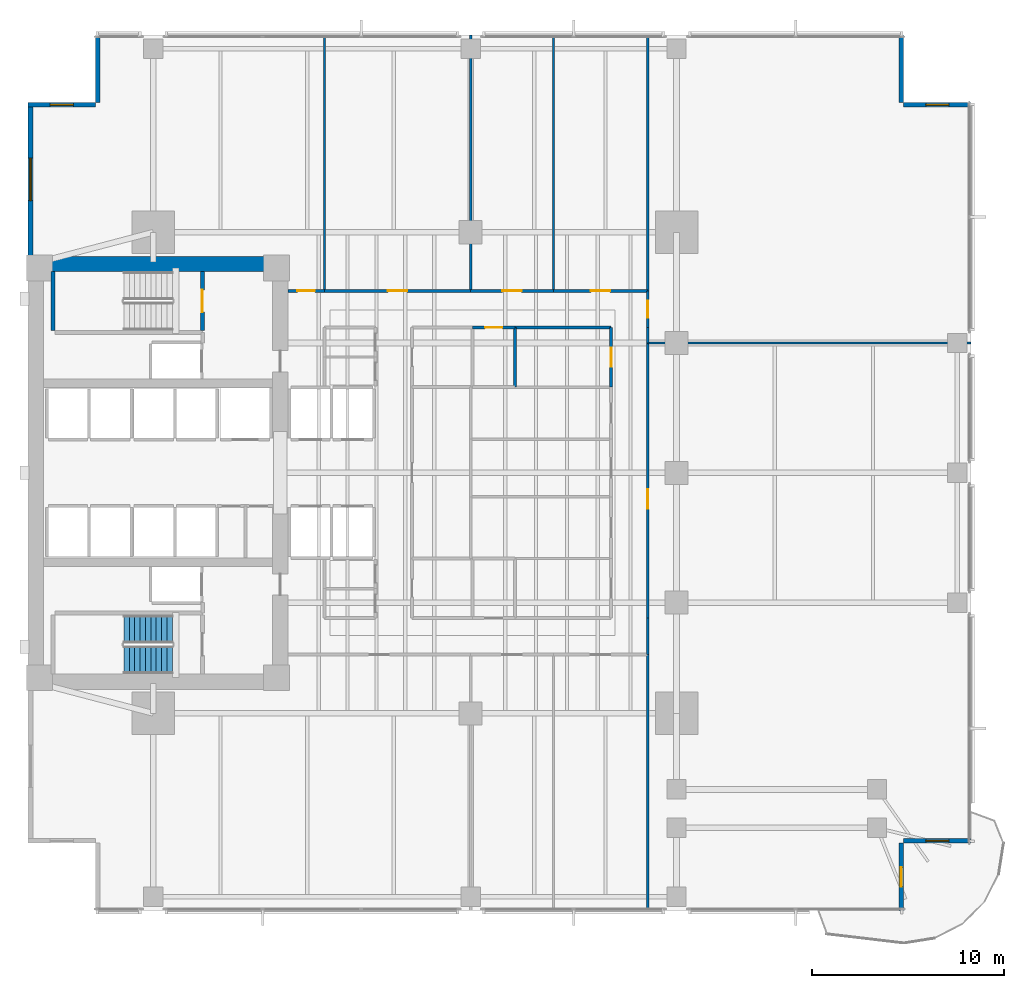
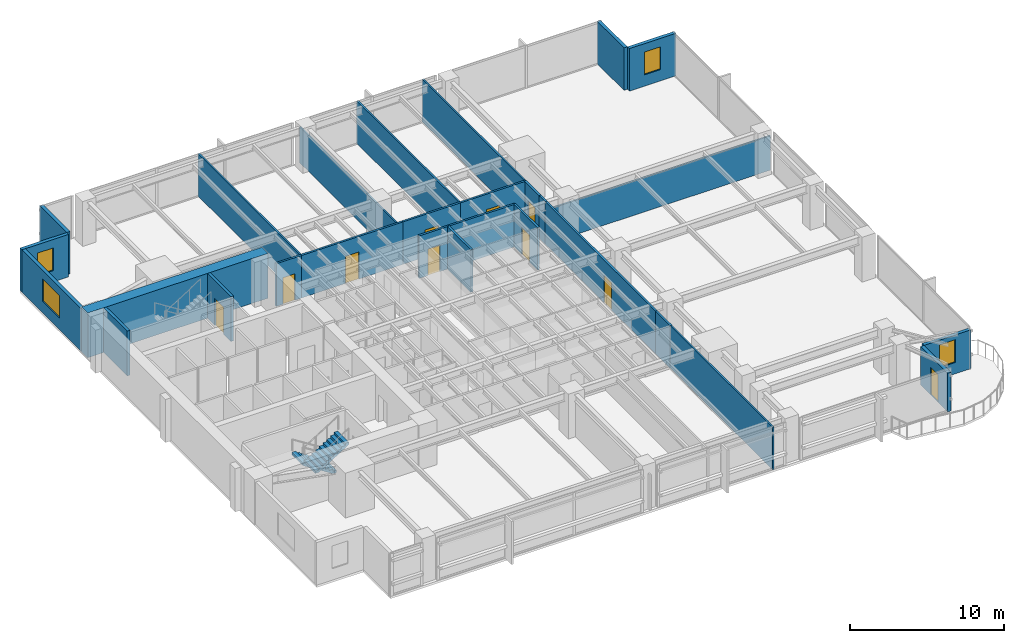
# One storey, part 10 of 15: 28 walls, 10 doors, 4 windows, 2 stair flights, 14 openings, 1 element without a shape of its own.
"""IFC4 building model written with IfcOpenShell, lengths in metres."""

from ifc_helpers import new_model, si_unit, direction, frame, frame_2d, origin, place, context, subcontext, project, spatial, polyline, rectangle, outline, extrude, material, layer, layer_set, type_object, element, fill, aggregate, save


model = new_model("IFC4")

# Units and contexts
model_context = context("Model", 3, precision=1e-05, world=origin(), true_north=direction((0.0, 1.0)))
body_context = subcontext(model_context, "Body", "Model", "MODEL_VIEW")
ifc_project = project(units=[si_unit("LENGTHUNIT", "METRE"), si_unit("AREAUNIT", "SQUARE_METRE"), si_unit("VOLUMEUNIT", "CUBIC_METRE"), si_unit("PLANEANGLEUNIT", "RADIAN"), si_unit("MASSUNIT", "GRAM", prefix="KILO")], contexts=[model_context])

# Site, building, storey
site_placement = place(None, origin())
site = spatial("IfcSite", under=ifc_project, at=site_placement, CompositionType="ELEMENT")
building_placement = place(site_placement, origin())
building = spatial("IfcBuilding", under=site, at=building_placement, Name="Kinhvarn Gate Tower", CompositionType="ELEMENT")
storey_placement = place(building_placement, frame((0.0, 0.0, 68.199951171875)))
storey = spatial("IfcBuildingStorey", under=building, at=storey_placement, Name="L17", CompositionType="ELEMENT", Elevation=68.199951171875)

# Wall
ifc_material_1 = material(Name="Concrete C70/85", Category="concrete")
ifc_layer_1 = layer(ifc_material_1, 0.800048828125)
ifc_layer_set_1 = layer_set([ifc_layer_1], Name="Concrete C70/85")
wall_type_1 = type_object("IfcWallType", Name="WL-CORE-800", PredefinedType="SHEAR", material=ifc_layer_set_1)
wall_1_placement = place(storey_placement, frame((4.5, 36.10009765625, 0.0), z_axis=(0.0, 0.0, 1.0), x_axis=(1.0, 0.0, 0.0)))
element("IfcWall", 1, at=wall_1_placement, inside=storey, type_object=wall_type_1, Name="Core North Shear Wall L17 800 mm", PredefinedType="SHEAR", context=body_context, shape_type="SweptSolid", body=[
    extrude(rectangle(XDim=13.5, YDim=0.800048828125, at=frame_2d((6.75, 0.0))), origin(), (0.0, 0.0, 1.0), 3.550048828125),
])

# Wall, opening, window
ifc_material_2 = material(Name="Fired architectural terracotta", Category="masonry")
ifc_layer_2 = layer(ifc_material_2, 0.25)
ifc_layer_set_2 = layer_set([ifc_layer_2], Name="Fired architectural terracotta")
wall_type_2 = type_object("IfcWallType", Name="WL-EXT-250", PredefinedType="SOLIDWALL", material=ifc_layer_set_2)
wall_2_placement = place(storey_placement, frame((4.625, 44.5, 0.0), z_axis=(0.0, 0.0, 1.0), x_axis=(0.0, -1.0, 0.0)))
wall_2 = element("IfcWall", 2, at=wall_2_placement, inside=storey, type_object=wall_type_2, Name="Exterior Solidwall Wall EW-250 (L17 West-North)", PredefinedType="SOLIDWALL", context=body_context, shape_type="SweptSolid", body=[
    extrude(rectangle(XDim=8.0, YDim=0.25, at=frame_2d((4.0, 0.0))), origin(), (0.0, 0.0, 1.0), 3.3701171875),
])
opening_1_placement = place(wall_2_placement, frame((2.89990234375, 0.0, 0.89990234375)))
opening_1 = element("IfcOpeningElement", 3, at=opening_1_placement, cuts=wall_2, Name="Opening WN-01", PredefinedType="OPENING", context=body_context, shape_type="SweptSolid", body=[
    extrude(rectangle(XDim=2.199951171875, YDim=1.800048828125, at=frame_2d((1.10009765625, 0.89990234375))), frame((0.0, 0.135009765625, 0.0), z_axis=(0.0, -1.0, 0.0), x_axis=(1.0, 0.0, 0.0)), (0.0, 0.0, 1.0), 0.27001953125),
])
ifc_material_3 = material(Name="Clear low-e double glazing", Category="glass")
window_type_1 = type_object("IfcWindowType", Name="WIN-RIB-2200", PartitioningType="SINGLE_PANEL", PredefinedType="WINDOW", material=ifc_material_3)
window_1_placement = place(opening_1_placement, origin())
window_1 = element("IfcWindow", 4, at=window_1_placement, inside=storey, type_object=window_type_1, Name="West Flank Double-Glazed Ribbon Window 2200x1800 mm (L17)", OverallHeight=1.800048828125, OverallWidth=2.199951171875, PartitioningType="SINGLE_PANEL", PredefinedType="WINDOW", context=body_context, shape_type="SweptSolid", body=[
    extrude(rectangle(XDim=2.199951171875, YDim=1.800048828125, at=frame_2d((1.10009765625, 0.89990234375))), frame((0.0, 0.030029296875, 0.0), z_axis=(0.0, -1.0, 0.0), x_axis=(1.0, 0.0, 0.0)), (0.0, 0.0, 1.0), 0.06005859375),
])
fill(opening_1, window_1)

# Wall, opening, door
wall_3_placement = place(storey_placement, frame((49.875, 2.5, 0.0), z_axis=(0.0, 0.0, 1.0), x_axis=(0.0, 1.0, 0.0)))
wall_3 = element("IfcWall", 5, at=wall_3_placement, inside=storey, type_object=wall_type_2, Name="Exterior Solidwall Wall EW-250 (L17 SE-Notch-Door)", PredefinedType="SOLIDWALL", context=body_context, shape_type="SweptSolid", body=[
    extrude(rectangle(XDim=3.5, YDim=0.25, at=frame_2d((1.75, 0.0))), origin(), (0.0, 0.0, 1.0), 3.070068359375),
])
opening_2_placement = place(wall_3_placement, frame((1.25, 0.0, 0.0)))
opening_2 = element("IfcOpeningElement", 6, at=opening_2_placement, cuts=wall_3, Name="Opening BD-01", PredefinedType="OPENING", context=body_context, shape_type="SweptSolid", body=[
    extrude(rectangle(XDim=1.0, YDim=2.199951171875, at=frame_2d((0.5, 1.10009765625))), frame((0.0, 0.135009765625, 0.0), z_axis=(0.0, -1.0, 0.0), x_axis=(1.0, 0.0, 0.0)), (0.0, 0.0, 1.0), 0.27001953125),
])
door_type_1 = type_object("IfcDoorType", Name="DR-BAL-1000", OperationType="NOTDEFINED", PredefinedType="DOOR", material=ifc_material_3)
door_1_placement = place(opening_2_placement, frame((1.0, 0.0, 0.0), z_axis=(0.0, 0.0, 1.0), x_axis=(-1.0, 0.0, 0.0)))
door_1 = element("IfcDoor", 7, at=door_1_placement, inside=storey, type_object=door_type_1, Name="S-Carve Balcony Door BD-01 (L17)", OperationType="SINGLE_SWING_LEFT", OverallHeight=2.199951171875, OverallWidth=1.0, PredefinedType="DOOR", context=body_context, shape_type="SweptSolid", body=[
    extrude(rectangle(XDim=1.0, YDim=2.199951171875, at=frame_2d((0.5, 1.10009765625))), frame((0.0, 0.02490234375, 0.0), z_axis=(0.0, -1.0, 0.0), x_axis=(1.0, 0.0, 0.0)), (0.0, 0.0, 1.0), 0.050048828125),
])
fill(opening_2, door_1)

# Wall, opening, window
wall_4_placement = place(storey_placement, frame((50.0, 6.125, 0.0), z_axis=(0.0, 0.0, 1.0), x_axis=(1.0, 0.0, 0.0)))
wall_4 = element("IfcWall", 8, at=wall_4_placement, inside=storey, type_object=wall_type_2, Name="Exterior Solidwall Wall EW-250 (L17 SE-Notch-Win)", PredefinedType="SOLIDWALL", context=body_context, shape_type="SweptSolid", body=[
    extrude(rectangle(XDim=3.5, YDim=0.25, at=frame_2d((1.75, 0.0))), origin(), (0.0, 0.0, 1.0), 3.070068359375),
])
opening_3_placement = place(wall_4_placement, frame((1.14990234375, 0.0, 0.89990234375)))
opening_3 = element("IfcOpeningElement", 9, at=opening_3_placement, cuts=wall_4, Name="Opening WN-02", PredefinedType="OPENING", context=body_context, shape_type="SweptSolid", body=[
    extrude(rectangle(XDim=1.199951171875, YDim=1.800048828125, at=frame_2d((0.60009765625, 0.89990234375))), frame((0.0, 0.135009765625, 0.0), z_axis=(0.0, -1.0, 0.0), x_axis=(1.0, 0.0, 0.0)), (0.0, 0.0, 1.0), 0.27001953125),
])
window_type_2 = type_object("IfcWindowType", Name="WIN-NTC-1200", PartitioningType="SINGLE_PANEL", PredefinedType="WINDOW", material=ifc_material_3)
window_2_placement = place(opening_3_placement, origin())
window_2 = element("IfcWindow", 10, at=window_2_placement, inside=storey, type_object=window_type_2, Name="Recessed Corner Notch Punched Window 1200x1800 mm (L17)", OverallHeight=1.800048828125, OverallWidth=1.199951171875, PartitioningType="SINGLE_PANEL", PredefinedType="WINDOW", context=body_context, shape_type="SweptSolid", body=[
    extrude(rectangle(XDim=1.199951171875, YDim=1.800048828125, at=frame_2d((0.60009765625, 0.89990234375))), frame((0.0, 0.030029296875, 0.0), z_axis=(0.0, -1.0, 0.0), x_axis=(1.0, 0.0, 0.0)), (0.0, 0.0, 1.0), 0.06005859375),
])
fill(opening_3, window_2)

wall_5_placement = place(storey_placement, frame((53.5, 44.375, 0.0), z_axis=(0.0, 0.0, 1.0), x_axis=(-1.0, 0.0, 0.0)))
wall_5 = element("IfcWall", 11, at=wall_5_placement, inside=storey, type_object=wall_type_2, Name="Exterior Solidwall Wall EW-250 (L17 NE-Notch-1)", PredefinedType="SOLIDWALL", context=body_context, shape_type="SweptSolid", body=[
    extrude(rectangle(XDim=3.5, YDim=0.25, at=frame_2d((1.75, 0.0))), origin(), (0.0, 0.0, 1.0), 3.3701171875),
])
opening_4_placement = place(wall_5_placement, frame((1.14990234375, 0.0, 0.89990234375)))
opening_4 = element("IfcOpeningElement", 12, at=opening_4_placement, cuts=wall_5, Name="Opening WN-02", PredefinedType="OPENING", context=body_context, shape_type="SweptSolid", body=[
    extrude(rectangle(XDim=1.199951171875, YDim=1.800048828125, at=frame_2d((0.60009765625, 0.89990234375))), frame((0.0, 0.135009765625, 0.0), z_axis=(0.0, -1.0, 0.0), x_axis=(1.0, 0.0, 0.0)), (0.0, 0.0, 1.0), 0.27001953125),
])
window_3_placement = place(opening_4_placement, origin())
window_3 = element("IfcWindow", 13, at=window_3_placement, inside=storey, type_object=window_type_2, Name="Recessed Corner Notch Punched Window 1200x1800 mm (L17)", OverallHeight=1.800048828125, OverallWidth=1.199951171875, PartitioningType="SINGLE_PANEL", PredefinedType="WINDOW", context=body_context, shape_type="SweptSolid", body=[
    extrude(rectangle(XDim=1.199951171875, YDim=1.800048828125, at=frame_2d((0.60009765625, 0.89990234375))), frame((0.0, 0.030029296875, 0.0), z_axis=(0.0, -1.0, 0.0), x_axis=(1.0, 0.0, 0.0)), (0.0, 0.0, 1.0), 0.06005859375),
])
fill(opening_4, window_3)

# Walls
for number, where, z_axis, x_axis, name in (
    (14, (49.875, 44.5, 0.0), (0.0, 0.0, 1.0), (0.0, 1.0, 0.0), "Exterior Solidwall Wall EW-250 (L17 NE-Notch-2)"),
    (15, (8.125, 48.0, 0.0), (0.0, 0.0, 1.0), (0.0, -1.0, 0.0), "Exterior Solidwall Wall EW-250 (L17 NW-Notch-1)"),
):
    element("IfcWall", number, at=place(storey_placement, frame(where, z_axis=z_axis, x_axis=x_axis)), inside=storey, type_object=wall_type_2, Name=name, PredefinedType="SOLIDWALL", context=body_context, shape_type="SweptSolid", body=[
        extrude(rectangle(XDim=3.5, YDim=0.25, at=frame_2d((1.75, 0.0))), origin(), (0.0, 0.0, 1.0), 3.3701171875),
    ])

# Wall, opening, window
wall_6_placement = place(storey_placement, frame((8.0, 44.375, 0.0), z_axis=(0.0, 0.0, 1.0), x_axis=(-1.0, 0.0, 0.0)))
wall_6 = element("IfcWall", 16, at=wall_6_placement, inside=storey, type_object=wall_type_2, Name="Exterior Solidwall Wall EW-250 (L17 NW-Notch-2)", PredefinedType="SOLIDWALL", context=body_context, shape_type="SweptSolid", body=[
    extrude(rectangle(XDim=3.5, YDim=0.25, at=frame_2d((1.75, 0.0))), origin(), (0.0, 0.0, 1.0), 3.3701171875),
])
opening_5_placement = place(wall_6_placement, frame((1.14990234375, 0.0, 0.89990234375)))
opening_5 = element("IfcOpeningElement", 17, at=opening_5_placement, cuts=wall_6, Name="Opening WN-02", PredefinedType="OPENING", context=body_context, shape_type="SweptSolid", body=[
    extrude(rectangle(XDim=1.199951171875, YDim=1.800048828125, at=frame_2d((0.60009765625, 0.89990234375))), frame((0.0, 0.135009765625, 0.0), z_axis=(0.0, -1.0, 0.0), x_axis=(1.0, 0.0, 0.0)), (0.0, 0.0, 1.0), 0.27001953125),
])
window_4_placement = place(opening_5_placement, origin())
window_4 = element("IfcWindow", 18, at=window_4_placement, inside=storey, type_object=window_type_2, Name="Recessed Corner Notch Punched Window 1200x1800 mm (L17)", OverallHeight=1.800048828125, OverallWidth=1.199951171875, PartitioningType="SINGLE_PANEL", PredefinedType="WINDOW", context=body_context, shape_type="SweptSolid", body=[
    extrude(rectangle(XDim=1.199951171875, YDim=1.800048828125, at=frame_2d((0.60009765625, 0.89990234375))), frame((0.0, 0.030029296875, 0.0), z_axis=(0.0, -1.0, 0.0), x_axis=(1.0, 0.0, 0.0)), (0.0, 0.0, 1.0), 0.06005859375),
])
fill(opening_5, window_4)

# Wall
ifc_material_4 = material(Name="Gypsum acoustic partition board")
ifc_layer_3 = layer(ifc_material_4, 0.14990234375)
ifc_layer_set_3 = layer_set([ifc_layer_3], Name="Gypsum acoustic partition board")
wall_type_3 = type_object("IfcWallType", Name="WL-PLM-150", PredefinedType="PLUMBINGWALL", material=ifc_layer_set_3)
wall_7_placement = place(storey_placement, frame((29.800048828125, 29.699951171875, 0.0), z_axis=(0.0, 0.0, 1.0), x_axis=(0.0, 1.0, 0.0)))
element("IfcWall", 19, at=wall_7_placement, inside=storey, type_object=wall_type_3, Name="Interior Partition PLW-150 (L17)", PredefinedType="PLUMBINGWALL", context=body_context, shape_type="SweptSolid", body=[
    extrude(rectangle(XDim=3.10009765625, YDim=0.14990234375, at=frame_2d((1.550048828125, 0.0))), origin(), (0.0, 0.0, 1.0), 3.3701171875),
])

# Wall, opening, door
ifc_layer_4 = layer(ifc_material_4, 0.14990234375)
ifc_layer_set_4 = layer_set([ifc_layer_4], Name="Gypsum acoustic partition board")
wall_type_4 = type_object("IfcWallType", Name="WL-PLM-150F", PredefinedType="PLUMBINGWALL", material=ifc_layer_set_4)
wall_8_placement = place(storey_placement, frame((27.60009765625, 32.800048828125, 0.0), z_axis=(0.0, 0.0, 1.0), x_axis=(1.0, 0.0, 0.0)))
wall_8 = element("IfcWall", 20, at=wall_8_placement, inside=storey, type_object=wall_type_4, Name="Interior Partition PLW-150F (L17)", PredefinedType="PLUMBINGWALL", context=body_context, shape_type="SweptSolid", body=[
    extrude(rectangle(XDim=2.199951171875, YDim=0.14990234375, at=frame_2d((1.10009765625, 0.0))), origin(), (0.0, 0.0, 1.0), 3.3701171875),
])
opening_6_placement = place(wall_8_placement, frame((0.64990234375, 0.0, 0.0)))
opening_6 = element("IfcOpeningElement", 21, at=opening_6_placement, cuts=wall_8, Name="Opening FD-04", PredefinedType="OPENING", context=body_context, shape_type="SweptSolid", body=[
    extrude(rectangle(XDim=0.89990234375, YDim=2.10009765625, at=frame_2d((0.449951171875, 1.050048828125))), frame((0.0, 0.0849609375, 0.0), z_axis=(0.0, -1.0, 0.0), x_axis=(1.0, 0.0, 0.0)), (0.0, 0.0, 1.0), 0.169921875),
])
ifc_material_5 = material(Name="Anodised aluminium AW-6063", Category="aluminium")
door_type_2 = type_object("IfcDoorType", Name="DR-FD-900", OperationType="NOTDEFINED", PredefinedType="DOOR", material=ifc_material_5)
door_2_placement = place(opening_6_placement, origin())
door_2 = element("IfcDoor", 22, at=door_2_placement, inside=storey, type_object=door_type_2, Name="Rated Riser & Service Closet Fire Door 900x2100 mm (L17)", OperationType="SINGLE_SWING_LEFT", OverallHeight=2.10009765625, OverallWidth=0.89990234375, PredefinedType="DOOR", context=body_context, shape_type="SweptSolid", body=[
    extrude(rectangle(XDim=0.89990234375, YDim=2.10009765625, at=frame_2d((0.449951171875, 1.050048828125))), frame((0.0, 0.02490234375, 0.0), z_axis=(0.0, -1.0, 0.0), x_axis=(1.0, 0.0, 0.0)), (0.0, 0.0, 1.0), 0.050048828125),
])
fill(opening_6, door_2)

# Walls
ifc_layer_5 = layer(ifc_material_4, 0.1201171875)
ifc_layer_set_5 = layer_set([ifc_layer_5], Name="Gypsum acoustic partition board")
wall_type_5 = type_object("IfcWallType", Name="WL-PRT-120", PredefinedType="PARTITIONING", material=ifc_layer_set_5)
for number, where, z_axis, x_axis, name in (
    (23, (36.699951171875, 2.510009765625, 0.0), (0.0, 0.0, 1.0), (0.0, 1.0, 0.0), "Interior Partition PW-120 (L17)"),
    (24, (19.89990234375, 34.699951171875, 0.0), (0.0, 0.0, 1.0), (0.0, 1.0, 0.0), "Interior Partition PW-120 (L17)"),
):
    element("IfcWall", number, at=place(storey_placement, frame(where, z_axis=z_axis, x_axis=x_axis)), inside=storey, type_object=wall_type_5, Name=name, PredefinedType="PARTITIONING", context=body_context, shape_type="SweptSolid", body=[
        extrude(rectangle(XDim=13.2900390625, YDim=0.1201171875, at=frame_2d((6.64501953125, 0.0))), origin(), (0.0, 0.0, 1.0), 3.3701171875),
    ])
wall_9_placement = place(storey_placement, frame((27.5, 34.699951171875, 0.0), z_axis=(0.0, 0.0, 1.0), x_axis=(0.0, 1.0, 0.0)))
element("IfcWall", 25, at=wall_9_placement, inside=storey, type_object=wall_type_5, Name="Interior Partition PW-120 (L17)", PredefinedType="PARTITIONING", context=body_context, shape_type="SweptSolid", body=[
    extrude(rectangle(XDim=13.2900390625, YDim=0.1201171875, at=frame_2d((6.64501953125, 0.0))), origin(), (0.0, 0.0, 1.0), 2.820068359375),
])
for number, where, z_axis, x_axis, name in (
    (26, (31.800048828125, 34.699951171875, 0.0), (0.0, 0.0, 1.0), (0.0, 1.0, 0.0), "Interior Partition PW-120 (L17)"),
    (27, (36.699951171875, 34.699951171875, 0.0), (0.0, 0.0, 1.0), (0.0, 1.0, 0.0), "Interior Partition PW-120 (L17)"),
):
    element("IfcWall", number, at=place(storey_placement, frame(where, z_axis=z_axis, x_axis=x_axis)), inside=storey, type_object=wall_type_5, Name=name, PredefinedType="PARTITIONING", context=body_context, shape_type="SweptSolid", body=[
        extrude(rectangle(XDim=13.2900390625, YDim=0.1201171875, at=frame_2d((6.64501953125, 0.0))), origin(), (0.0, 0.0, 1.0), 3.3701171875),
    ])
wall_10_placement = place(storey_placement, frame((36.699951171875, 32.0, 0.0), z_axis=(0.0, 0.0, 1.0), x_axis=(1.0, 0.0, 0.0)))
element("IfcWall", 28, at=wall_10_placement, inside=storey, type_object=wall_type_5, Name="Interior Partition PW-120 (L17)", PredefinedType="PARTITIONING", context=body_context, shape_type="SweptSolid", body=[
    extrude(rectangle(XDim=16.7900390625, YDim=0.1201171875, at=frame_2d((8.39501953125, 0.0))), origin(), (0.0, 0.0, 1.0), 2.719970703125),
])
ifc_layer_6 = layer(ifc_material_4, 0.14990234375)
ifc_layer_set_6 = layer_set([ifc_layer_6], Name="Gypsum acoustic partition board")
wall_type_6 = type_object("IfcWallType", Name="WL-PRT-150F", PredefinedType="PARTITIONING", material=ifc_layer_set_6)
wall_11_placement = place(storey_placement, frame((36.699951171875, 15.800048828125, 0.0), z_axis=(0.0, 0.0, 1.0), x_axis=(0.0, 1.0, 0.0)))
element("IfcWall", 29, at=wall_11_placement, inside=storey, type_object=wall_type_6, Name="Interior Partition PW-150F (L17)", PredefinedType="PARTITIONING", context=body_context, shape_type="SweptSolid", body=[
    extrude(rectangle(XDim=1.89990234375, YDim=0.14990234375, at=frame_2d((0.949951171875, 0.0))), origin(), (0.0, 0.0, 1.0), 3.3701171875),
])
wall_12_placement = place(storey_placement, frame((29.800048828125, 32.800048828125, 0.0), z_axis=(0.0, 0.0, 1.0), x_axis=(1.0, 0.0, 0.0)))
element("IfcWall", 30, at=wall_12_placement, inside=storey, type_object=wall_type_6, Name="Interior Partition PW-150F (L17)", PredefinedType="PARTITIONING", context=body_context, shape_type="SweptSolid", body=[
    extrude(rectangle(XDim=5.0, YDim=0.14990234375, at=frame_2d((2.5, 0.0))), origin(), (0.0, 0.0, 1.0), 3.3701171875),
])

# Wall, opening, door
wall_13_placement = place(storey_placement, frame((18.0, 34.699951171875, 0.0), z_axis=(0.0, 0.0, 1.0), x_axis=(1.0, 0.0, 0.0)))
wall_13 = element("IfcWall", 31, at=wall_13_placement, inside=storey, type_object=wall_type_6, Name="Interior Partition PW-150F (L17)", PredefinedType="PARTITIONING", context=body_context, shape_type="SweptSolid", body=[
    extrude(rectangle(XDim=1.89990234375, YDim=0.14990234375, at=frame_2d((0.949951171875, 0.0))), origin(), (0.0, 0.0, 1.0), 3.3701171875),
])
opening_7_placement = place(wall_13_placement, frame((0.5, 0.0, 0.0)))
opening_7 = element("IfcOpeningElement", 32, at=opening_7_placement, cuts=wall_13, Name="Opening ID-03", PredefinedType="OPENING", context=body_context, shape_type="SweptSolid", body=[
    extrude(rectangle(XDim=0.89990234375, YDim=2.10009765625, at=frame_2d((0.449951171875, 1.050048828125))), frame((0.0, 0.0849609375, 0.0), z_axis=(0.0, -1.0, 0.0), x_axis=(1.0, 0.0, 0.0)), (0.0, 0.0, 1.0), 0.169921875),
])
door_type_3 = type_object("IfcDoorType", Name="DR-INT-900", OperationType="NOTDEFINED", PredefinedType="DOOR", material=ifc_material_5)
door_3_placement = place(opening_7_placement, origin())
door_3 = element("IfcDoor", 33, at=door_3_placement, inside=storey, type_object=door_type_3, Name="Cellular Office & Restroom Door 900x2100 mm (L17)", OperationType="SINGLE_SWING_RIGHT", OverallHeight=2.10009765625, OverallWidth=0.89990234375, PredefinedType="DOOR", context=body_context, shape_type="SweptSolid", body=[
    extrude(rectangle(XDim=0.89990234375, YDim=2.10009765625, at=frame_2d((0.449951171875, 1.050048828125))), frame((0.0, 0.02490234375, 0.0), z_axis=(0.0, -1.0, 0.0), x_axis=(1.0, 0.0, 0.0)), (0.0, 0.0, 1.0), 0.050048828125),
])
fill(opening_7, door_3)

wall_14_placement = place(storey_placement, frame((19.89990234375, 34.699951171875, 0.0), z_axis=(0.0, 0.0, 1.0), x_axis=(1.0, 0.0, 0.0)))
wall_14 = element("IfcWall", 34, at=wall_14_placement, inside=storey, type_object=wall_type_6, Name="Interior Partition PW-150F (L17)", PredefinedType="PARTITIONING", context=body_context, shape_type="SweptSolid", body=[
    extrude(rectangle(XDim=7.60009765625, YDim=0.14990234375, at=frame_2d((3.800048828125, 0.0))), origin(), (0.0, 0.0, 1.0), 3.3701171875),
])
opening_8_placement = place(wall_14_placement, frame((3.300048828125, 0.0, 0.0)))
opening_8 = element("IfcOpeningElement", 35, at=opening_8_placement, cuts=wall_14, Name="Opening ID-02", PredefinedType="OPENING", context=body_context, shape_type="SweptSolid", body=[
    extrude(rectangle(XDim=1.0, YDim=2.14990234375, at=frame_2d((0.5, 1.074951171875))), frame((0.0, 0.0849609375, 0.0), z_axis=(0.0, -1.0, 0.0), x_axis=(1.0, 0.0, 0.0)), (0.0, 0.0, 1.0), 0.169921875),
])
door_type_4 = type_object("IfcDoorType", Name="DR-INT-1000", OperationType="NOTDEFINED", PredefinedType="DOOR", material=ifc_material_5)
door_4_placement = place(opening_8_placement, origin())
door_4 = element("IfcDoor", 36, at=door_4_placement, inside=storey, type_object=door_type_4, Name="Standard Office & Meeting Room Door 1000x2150 mm (L17)", OperationType="SINGLE_SWING_LEFT", OverallHeight=2.14990234375, OverallWidth=1.0, PredefinedType="DOOR", context=body_context, shape_type="SweptSolid", body=[
    extrude(rectangle(XDim=1.0, YDim=2.14990234375, at=frame_2d((0.5, 1.074951171875))), frame((0.0, 0.02490234375, 0.0), z_axis=(0.0, -1.0, 0.0), x_axis=(1.0, 0.0, 0.0)), (0.0, 0.0, 1.0), 0.050048828125),
])
fill(opening_8, door_4)

wall_15_placement = place(storey_placement, frame((27.5, 34.699951171875, 0.0), z_axis=(0.0, 0.0, 1.0), x_axis=(1.0, 0.0, 0.0)))
wall_15 = element("IfcWall", 37, at=wall_15_placement, inside=storey, type_object=wall_type_6, Name="Interior Partition PW-150F (L17)", PredefinedType="PARTITIONING", context=body_context, shape_type="SweptSolid", body=[
    extrude(rectangle(XDim=4.300048828125, YDim=0.14990234375, at=frame_2d((2.14990234375, 0.0))), origin(), (0.0, 0.0, 1.0), 3.3701171875),
])
opening_9_placement = place(wall_15_placement, frame((1.64990234375, 0.0, 0.0)))
opening_9 = element("IfcOpeningElement", 38, at=opening_9_placement, cuts=wall_15, Name="Opening ID-02", PredefinedType="OPENING", context=body_context, shape_type="SweptSolid", body=[
    extrude(rectangle(XDim=1.0, YDim=2.14990234375, at=frame_2d((0.5, 1.074951171875))), frame((0.0, 0.0849609375, 0.0), z_axis=(0.0, -1.0, 0.0), x_axis=(1.0, 0.0, 0.0)), (0.0, 0.0, 1.0), 0.169921875),
])
door_5_placement = place(opening_9_placement, origin())
door_5 = element("IfcDoor", 39, at=door_5_placement, inside=storey, type_object=door_type_4, Name="Standard Office & Meeting Room Door 1000x2150 mm (L17)", OperationType="SINGLE_SWING_RIGHT", OverallHeight=2.14990234375, OverallWidth=1.0, PredefinedType="DOOR", context=body_context, shape_type="SweptSolid", body=[
    extrude(rectangle(XDim=1.0, YDim=2.14990234375, at=frame_2d((0.5, 1.074951171875))), frame((0.0, 0.02490234375, 0.0), z_axis=(0.0, -1.0, 0.0), x_axis=(1.0, 0.0, 0.0)), (0.0, 0.0, 1.0), 0.050048828125),
])
fill(opening_9, door_5)

wall_16_placement = place(storey_placement, frame((31.800048828125, 34.699951171875, 0.0), z_axis=(0.0, 0.0, 1.0), x_axis=(1.0, 0.0, 0.0)))
wall_16 = element("IfcWall", 40, at=wall_16_placement, inside=storey, type_object=wall_type_6, Name="Interior Partition PW-150F (L17)", PredefinedType="PARTITIONING", context=body_context, shape_type="SweptSolid", body=[
    extrude(rectangle(XDim=4.89990234375, YDim=0.14990234375, at=frame_2d((2.449951171875, 0.0))), origin(), (0.0, 0.0, 1.0), 3.3701171875),
])
opening_10_placement = place(wall_16_placement, frame((1.949951171875, 0.0, 0.0)))
opening_10 = element("IfcOpeningElement", 41, at=opening_10_placement, cuts=wall_16, Name="Opening ID-02", PredefinedType="OPENING", context=body_context, shape_type="SweptSolid", body=[
    extrude(rectangle(XDim=1.0, YDim=2.14990234375, at=frame_2d((0.5, 1.074951171875))), frame((0.0, 0.0849609375, 0.0), z_axis=(0.0, -1.0, 0.0), x_axis=(1.0, 0.0, 0.0)), (0.0, 0.0, 1.0), 0.169921875),
])
door_6_placement = place(opening_10_placement, origin())
door_6 = element("IfcDoor", 42, at=door_6_placement, inside=storey, type_object=door_type_4, Name="Standard Office & Meeting Room Door 1000x2150 mm (L17)", OperationType="SINGLE_SWING_LEFT", OverallHeight=2.14990234375, OverallWidth=1.0, PredefinedType="DOOR", context=body_context, shape_type="SweptSolid", body=[
    extrude(rectangle(XDim=1.0, YDim=2.14990234375, at=frame_2d((0.5, 1.074951171875))), frame((0.0, 0.02490234375, 0.0), z_axis=(0.0, -1.0, 0.0), x_axis=(1.0, 0.0, 0.0)), (0.0, 0.0, 1.0), 0.050048828125),
])
fill(opening_10, door_6)

wall_17_placement = place(storey_placement, frame((36.699951171875, 32.800048828125, 0.0), z_axis=(0.0, 0.0, 1.0), x_axis=(0.0, 1.0, 0.0)))
wall_17 = element("IfcWall", 43, at=wall_17_placement, inside=storey, type_object=wall_type_6, Name="Interior Partition PW-150F (L17)", PredefinedType="PARTITIONING", context=body_context, shape_type="SweptSolid", body=[
    extrude(rectangle(XDim=1.89990234375, YDim=0.14990234375, at=frame_2d((0.949951171875, 0.0))), origin(), (0.0, 0.0, 1.0), 3.3701171875),
])
opening_11_placement = place(wall_17_placement, frame((0.5, 0.0, 0.0)))
opening_11 = element("IfcOpeningElement", 44, at=opening_11_placement, cuts=wall_17, Name="Opening ID-03", PredefinedType="OPENING", context=body_context, shape_type="SweptSolid", body=[
    extrude(rectangle(XDim=0.89990234375, YDim=2.10009765625, at=frame_2d((0.449951171875, 1.050048828125))), frame((0.0, 0.0849609375, 0.0), z_axis=(0.0, -1.0, 0.0), x_axis=(1.0, 0.0, 0.0)), (0.0, 0.0, 1.0), 0.169921875),
])
door_7_placement = place(opening_11_placement, origin())
door_7 = element("IfcDoor", 45, at=door_7_placement, inside=storey, type_object=door_type_3, Name="Cellular Office & Restroom Door 900x2100 mm (L17)", OperationType="SINGLE_SWING_RIGHT", OverallHeight=2.10009765625, OverallWidth=0.89990234375, PredefinedType="DOOR", context=body_context, shape_type="SweptSolid", body=[
    extrude(rectangle(XDim=0.89990234375, YDim=2.10009765625, at=frame_2d((0.449951171875, 1.050048828125))), frame((0.0, 0.02490234375, 0.0), z_axis=(0.0, -1.0, 0.0), x_axis=(1.0, 0.0, 0.0)), (0.0, 0.0, 1.0), 0.050048828125),
])
fill(opening_11, door_7)

wall_18_placement = place(storey_placement, frame((34.800048828125, 29.699951171875, 0.0), z_axis=(0.0, 0.0, 1.0), x_axis=(0.0, 1.0, 0.0)))
wall_18 = element("IfcWall", 46, at=wall_18_placement, inside=storey, type_object=wall_type_6, Name="Interior Partition PW-150F (L17)", PredefinedType="PARTITIONING", context=body_context, shape_type="SweptSolid", body=[
    extrude(rectangle(XDim=3.10009765625, YDim=0.14990234375, at=frame_2d((1.550048828125, 0.0))), origin(), (0.0, 0.0, 1.0), 3.3701171875),
])
opening_12_placement = place(wall_18_placement, frame((1.050048828125, 0.0, 0.0)))
opening_12 = element("IfcOpeningElement", 47, at=opening_12_placement, cuts=wall_18, Name="Opening ID-02", PredefinedType="OPENING", context=body_context, shape_type="SweptSolid", body=[
    extrude(rectangle(XDim=1.0, YDim=2.14990234375, at=frame_2d((0.5, 1.074951171875))), frame((0.0, 0.0849609375, 0.0), z_axis=(0.0, -1.0, 0.0), x_axis=(1.0, 0.0, 0.0)), (0.0, 0.0, 1.0), 0.169921875),
])
door_8_placement = place(opening_12_placement, origin())
door_8 = element("IfcDoor", 48, at=door_8_placement, inside=storey, type_object=door_type_4, Name="Standard Office & Meeting Room Door 1000x2150 mm (L17)", OperationType="SINGLE_SWING_RIGHT", OverallHeight=2.14990234375, OverallWidth=1.0, PredefinedType="DOOR", context=body_context, shape_type="SweptSolid", body=[
    extrude(rectangle(XDim=1.0, YDim=2.14990234375, at=frame_2d((0.5, 1.074951171875))), frame((0.0, 0.02490234375, 0.0), z_axis=(0.0, -1.0, 0.0), x_axis=(1.0, 0.0, 0.0)), (0.0, 0.0, 1.0), 0.050048828125),
])
fill(opening_12, door_8)

wall_19_placement = place(storey_placement, frame((36.699951171875, 17.699951171875, 0.0), z_axis=(0.0, 0.0, 1.0), x_axis=(0.0, 1.0, 0.0)))
wall_19 = element("IfcWall", 49, at=wall_19_placement, inside=storey, type_object=wall_type_6, Name="Interior Partition PW-150F (L17)", PredefinedType="PARTITIONING", context=body_context, shape_type="SweptSolid", body=[
    extrude(rectangle(XDim=14.300048828125, YDim=0.14990234375, at=frame_2d((7.14990234375, 0.0))), origin(), (0.0, 0.0, 1.0), 3.3701171875),
])
opening_13_placement = place(wall_19_placement, frame((5.68310546875, 0.0, 0.0)))
opening_13 = element("IfcOpeningElement", 50, at=opening_13_placement, cuts=wall_19, Name="Opening ID-02", PredefinedType="OPENING", context=body_context, shape_type="SweptSolid", body=[
    extrude(rectangle(XDim=1.0, YDim=2.14990234375, at=frame_2d((0.5, 1.074951171875))), frame((0.0, 0.0849609375, 0.0), z_axis=(0.0, -1.0, 0.0), x_axis=(1.0, 0.0, 0.0)), (0.0, 0.0, 1.0), 0.169921875),
])
door_9_placement = place(opening_13_placement, origin())
door_9 = element("IfcDoor", 51, at=door_9_placement, inside=storey, type_object=door_type_4, Name="Standard Office & Meeting Room Door 1000x2150 mm (L17)", OperationType="SINGLE_SWING_RIGHT", OverallHeight=2.14990234375, OverallWidth=1.0, PredefinedType="DOOR", context=body_context, shape_type="SweptSolid", body=[
    extrude(rectangle(XDim=1.0, YDim=2.14990234375, at=frame_2d((0.5, 1.074951171875))), frame((0.0, 0.02490234375, 0.0), z_axis=(0.0, -1.0, 0.0), x_axis=(1.0, 0.0, 0.0)), (0.0, 0.0, 1.0), 0.050048828125),
])
fill(opening_13, door_9)

# Walls
wall_20_placement = place(storey_placement, frame((36.699951171875, 32.0, 0.0), z_axis=(0.0, 0.0, 1.0), x_axis=(0.0, 1.0, 0.0)))
element("IfcWall", 52, at=wall_20_placement, inside=storey, type_object=wall_type_6, Name="Interior Partition PW-150F (L17)", PredefinedType="PARTITIONING", context=body_context, shape_type="SweptSolid", body=[
    extrude(rectangle(XDim=0.800048828125, YDim=0.14990234375, at=frame_2d((0.39990234375, 0.0))), origin(), (0.0, 0.0, 1.0), 3.3701171875),
])
ifc_material_6 = material(Name="Concrete C40/50", Category="concrete")
ifc_layer_7 = layer(ifc_material_6, 0.199951171875)
ifc_layer_set_7 = layer_set([ifc_layer_7], Name="Concrete C40/50")
wall_type_7 = type_object("IfcWallType", Name="WL-SHF-200", PredefinedType="SOLIDWALL", material=ifc_layer_set_7)
wall_21_placement = place(storey_placement, frame((5.7900390625, 32.64990234375, 0.0), z_axis=(0.0, 0.0, 1.0), x_axis=(0.0, 1.0, 0.0)))
element("IfcWall", 53, at=wall_21_placement, inside=storey, type_object=wall_type_7, Name="Stair ST2 West Shaft Wall (L17)", PredefinedType="SOLIDWALL", context=body_context, shape_type="SweptSolid", body=[
    extrude(rectangle(XDim=3.050048828125, YDim=0.199951171875, at=frame_2d((1.52490234375, 0.0))), origin(), (0.0, 0.0, 1.0), 3.550048828125),
])

# Wall, opening, door
wall_22_placement = place(storey_placement, frame((13.56005859375, 32.64990234375, 0.0), z_axis=(0.0, 0.0, 1.0), x_axis=(0.0, 1.0, 0.0)))
wall_22 = element("IfcWall", 54, at=wall_22_placement, inside=storey, type_object=wall_type_7, Name="Stair ST2 East Entry Wall (L17)", PredefinedType="SOLIDWALL", context=body_context, shape_type="SweptSolid", body=[
    extrude(rectangle(XDim=3.050048828125, YDim=0.199951171875, at=frame_2d((1.52490234375, 0.0))), origin(), (0.0, 0.0, 1.0), 3.550048828125),
])
opening_14_placement = place(wall_22_placement, frame((0.949951171875, 0.0, 0.0)))
opening_14 = element("IfcOpeningElement", 55, at=opening_14_placement, cuts=wall_22, Name="Opening FD-01", PredefinedType="OPENING", context=body_context, shape_type="SweptSolid", body=[
    extrude(rectangle(XDim=1.14990234375, YDim=2.14990234375, at=frame_2d((0.574951171875, 1.074951171875))), frame((0.0, 0.10986328125, 0.0), z_axis=(0.0, -1.0, 0.0), x_axis=(1.0, 0.0, 0.0)), (0.0, 0.0, 1.0), 0.219970703125),
])
door_type_5 = type_object("IfcDoorType", Name="DR-ST-1150", OperationType="NOTDEFINED", PredefinedType="DOOR", material=ifc_material_5)
door_10_placement = place(opening_14_placement, origin())
door_10 = element("IfcDoor", 56, at=door_10_placement, inside=storey, type_object=door_type_5, Name="Exit Stair ST2 Fire Door (L17)", OperationType="SINGLE_SWING_RIGHT", OverallHeight=2.14990234375, OverallWidth=1.14990234375, PredefinedType="DOOR", context=body_context, shape_type="SweptSolid", body=[
    extrude(rectangle(XDim=1.14990234375, YDim=2.14990234375, at=frame_2d((0.574951171875, 1.074951171875))), frame((0.0, 0.02490234375, 0.0), z_axis=(0.0, -1.0, 0.0), x_axis=(1.0, 0.0, 0.0)), (0.0, 0.0, 1.0), 0.050048828125),
])
fill(opening_14, door_10)

# Stair, stair flights
stair_type = type_object("IfcStairType", Name="STR-DLG-177", PredefinedType="HALF_TURN_STAIR", material=ifc_material_6)
stair_placement = place(storey_placement, origin())
stair = element("IfcStair", 57, at=stair_placement, inside=storey, type_object=stair_type, Name="L17 Core Smokeproof Exit Stair ST1", PredefinedType="HALF_TURN_STAIR")
stair_flight_type = type_object("IfcStairFlightType", Name="STF-DLG-177", PredefinedType="STRAIGHT", material=ifc_material_6)
stair_flight_1_placement = place(storey_placement, frame((12.0, 17.125, 0.0), z_axis=(0.0, 0.0, 1.0), x_axis=(-1.0, 0.0, 0.0)))
stair_flight_1 = element("IfcStairFlight", 58, at=stair_flight_1_placement, type_object=stair_flight_type, Name="ST1 flight 1", NumberOfRisers=10, NumberOfTreads=9, PredefinedType="STRAIGHT", RiserHeight=0.1775, TreadLength=0.28, context=body_context, shape_type="SweptSolid", body=[
    extrude(outline(polyline([(0.0, 0.0), (0.0, 0.177490234375), (0.280029296875, 0.177490234375), (0.280029296875, 0.35498046875), (0.56005859375, 0.35498046875), (0.56005859375, 0.532470703125), (0.840087890625, 0.532470703125), (0.840087890625, 0.7099609375), (1.1201171875, 0.7099609375), (1.1201171875, 0.887451171875), (1.39990234375, 0.887451171875), (1.39990234375, 1.06494140625), (1.679931640625, 1.06494140625), (1.679931640625, 1.242431640625), (1.9599609375, 1.242431640625), (1.9599609375, 1.419921875), (2.239990234375, 1.419921875), (2.239990234375, 1.597412109375), (2.52001953125, 1.597412109375), (2.52001953125, 1.77490234375), (2.52001953125, 1.419921875), (0.280029296875, 0.0), (0.0, 0.0)])), frame((0.0, 0.72509765625, 0.0), z_axis=(0.0, -1.0, 0.0), x_axis=(1.0, 0.0, 0.0)), (0.0, 0.0, 1.0), 1.449951171875),
])
stair_flight_2_placement = place(storey_placement, frame((9.47998046875, 15.52490234375, 1.775146484375), z_axis=(0.0, 0.0, 1.0), x_axis=(1.0, 0.0, 0.0)))
stair_flight_2 = element("IfcStairFlight", 59, at=stair_flight_2_placement, type_object=stair_flight_type, Name="ST1 flight 2", NumberOfRisers=10, NumberOfTreads=9, PredefinedType="STRAIGHT", RiserHeight=0.1775, TreadLength=0.28, context=body_context, shape_type="SweptSolid", body=[
    extrude(outline(polyline([(0.0, 0.0), (0.0, 0.177490234375), (0.280029296875, 0.177490234375), (0.280029296875, 0.35498046875), (0.56005859375, 0.35498046875), (0.56005859375, 0.532470703125), (0.840087890625, 0.532470703125), (0.840087890625, 0.7099609375), (1.1201171875, 0.7099609375), (1.1201171875, 0.887451171875), (1.39990234375, 0.887451171875), (1.39990234375, 1.06494140625), (1.679931640625, 1.06494140625), (1.679931640625, 1.242431640625), (1.9599609375, 1.242431640625), (1.9599609375, 1.419921875), (2.239990234375, 1.419921875), (2.239990234375, 1.597412109375), (2.52001953125, 1.597412109375), (2.52001953125, 1.77490234375), (2.52001953125, 1.419921875), (0.280029296875, 0.0), (0.0, 0.0)])), frame((0.0, 0.72509765625, 0.0), z_axis=(0.0, -1.0, 0.0), x_axis=(1.0, 0.0, 0.0)), (0.0, 0.0, 1.0), 1.449951171875),
])
aggregate(stair, [stair_flight_1, stair_flight_2])

save(model, "model.ifc")
